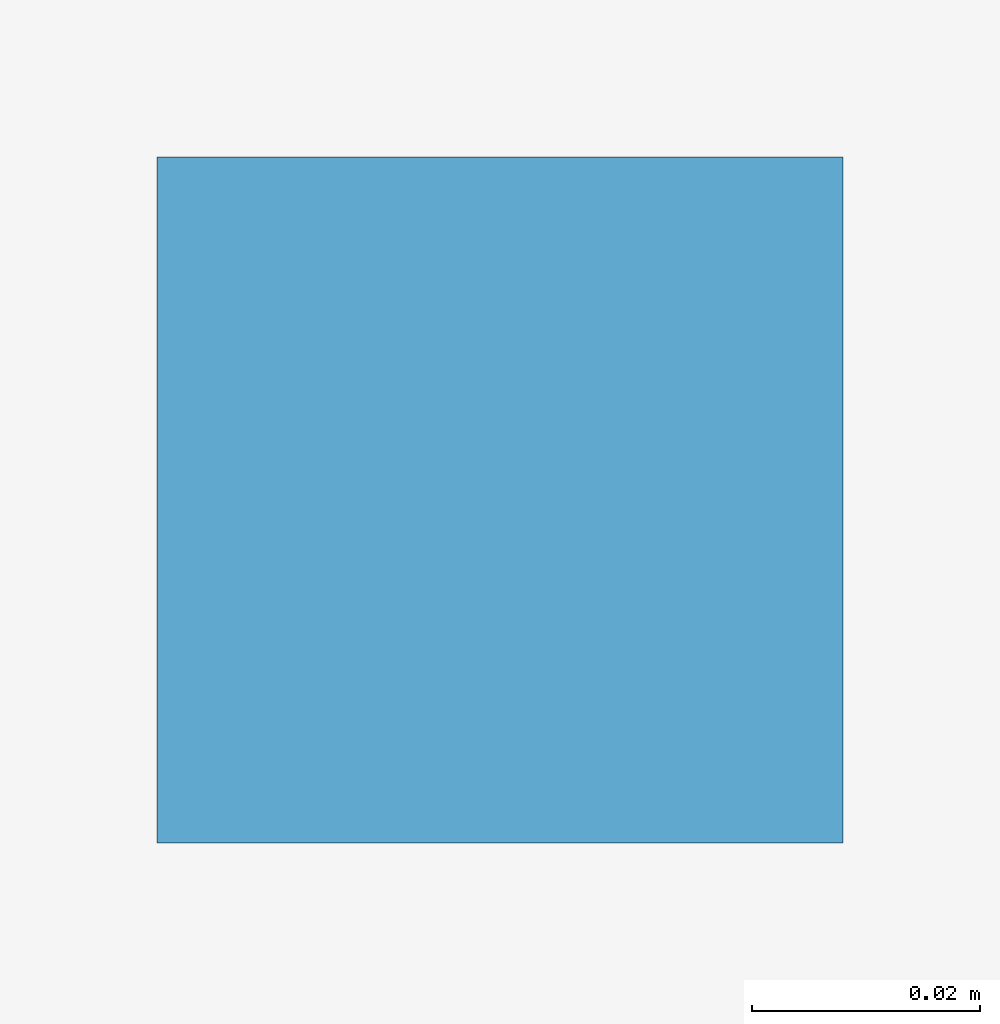
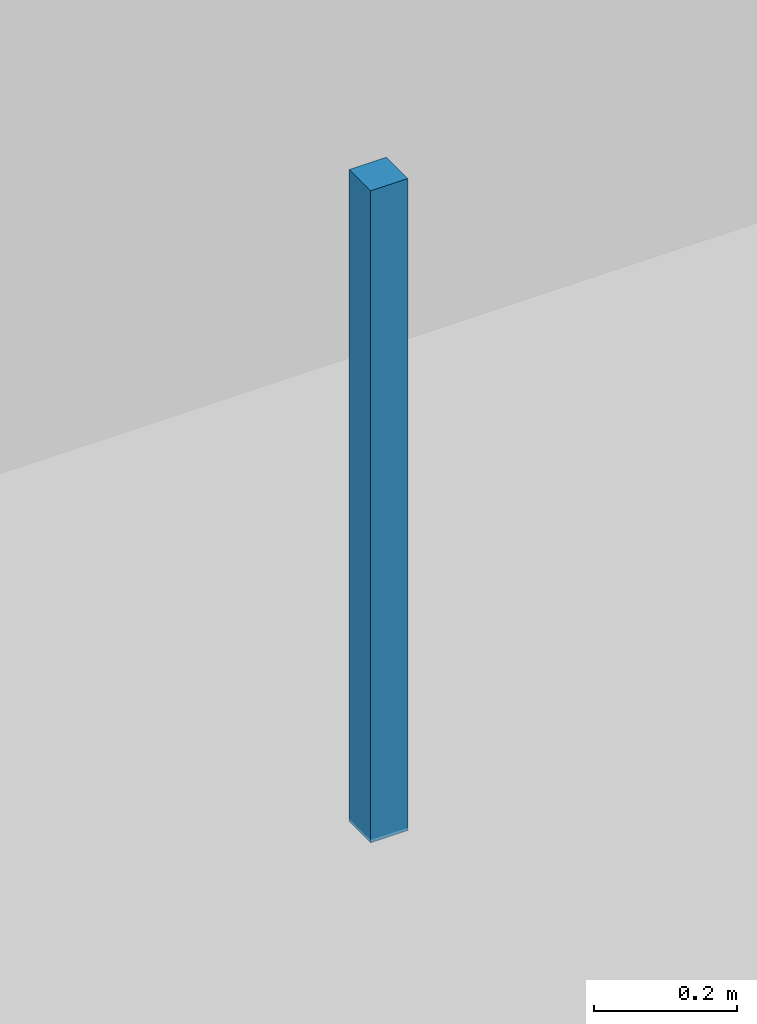
# One storey, part 110 of 139: 1 discrete accessory.
"""IFC4 building model written with IfcOpenShell, lengths in metres."""

from ifc_helpers import new_model, si_unit, derived_unit, direction, frame, origin, origin_2d, place, context, subcontext, project, spatial, rectangle, extrude, material, layer, layer_set, type_object, element, save


model = new_model("IFC4")

# Units and contexts
model_context = context("Model", 3, precision=1e-05, world=origin(), true_north=direction((0.0, 1.0)))
body_context = subcontext(model_context, "Body", "Model", "MODEL_VIEW")
ifc_project = project(units=[si_unit("LENGTHUNIT", "METRE"), si_unit("AREAUNIT", "SQUARE_METRE"), si_unit("VOLUMEUNIT", "CUBIC_METRE"), si_unit("PLANEANGLEUNIT", "RADIAN"), si_unit("MASSUNIT", "GRAM", prefix="KILO"), derived_unit("THERMALTRANSMITTANCEUNIT", [(si_unit("MASSUNIT", "GRAM", prefix="KILO"), 1), (si_unit("TIMEUNIT", "SECOND"), -3), (si_unit("THERMODYNAMICTEMPERATUREUNIT", "KELVIN"), -1)])], contexts=[model_context])

# Site, building, storey
site_placement = place(None, origin())
site = spatial("IfcSite", under=ifc_project, at=site_placement, CompositionType="ELEMENT")
building_placement = place(site_placement, origin())
building = spatial("IfcBuilding", under=site, at=building_placement, Name="Makaiwela Harbour Ferry Terminal", CompositionType="ELEMENT")
storey_placement = place(building_placement, frame((0.0, 0.0, 5.10009765625)))
storey = spatial("IfcBuildingStorey", under=building, at=storey_placement, Name="L01", CompositionType="ELEMENT", Elevation=5.10009765625)

# Discrete accessory
ifc_material = material(Name="Marine grade 316L brushed stainless steel", Category="steel")
ifc_layer = layer(ifc_material, 1.0)
ifc_layer_set = layer_set([ifc_layer], Name="Marine grade 316L brushed stainless steel")
discrete_accessory_type = type_object("IfcDiscreteAccessoryType", Name="INT-ACC-HNG", PredefinedType="BRACKET", material=ifc_layer_set)
discrete_accessory_placement = place(storey_placement, frame((24.2763671875, 54.928955078125, 3.134765625), z_axis=(0.0, 0.0, 1.0), x_axis=(1.0, 0.0, 0.0)))
element("IfcDiscreteAccessory", 1, at=discrete_accessory_placement, inside=storey, type_object=discrete_accessory_type, Name="Ceiling Suspension Bracket HNG-032", PredefinedType="BRACKET", context=body_context, shape_type="SweptSolid", body=[
    extrude(rectangle(XDim=0.06005859375, YDim=0.06005859375, at=origin_2d()), origin(), (0.0, 0.0, 1.0), 1.110107421875),
])

save(model, "model.ifc")
